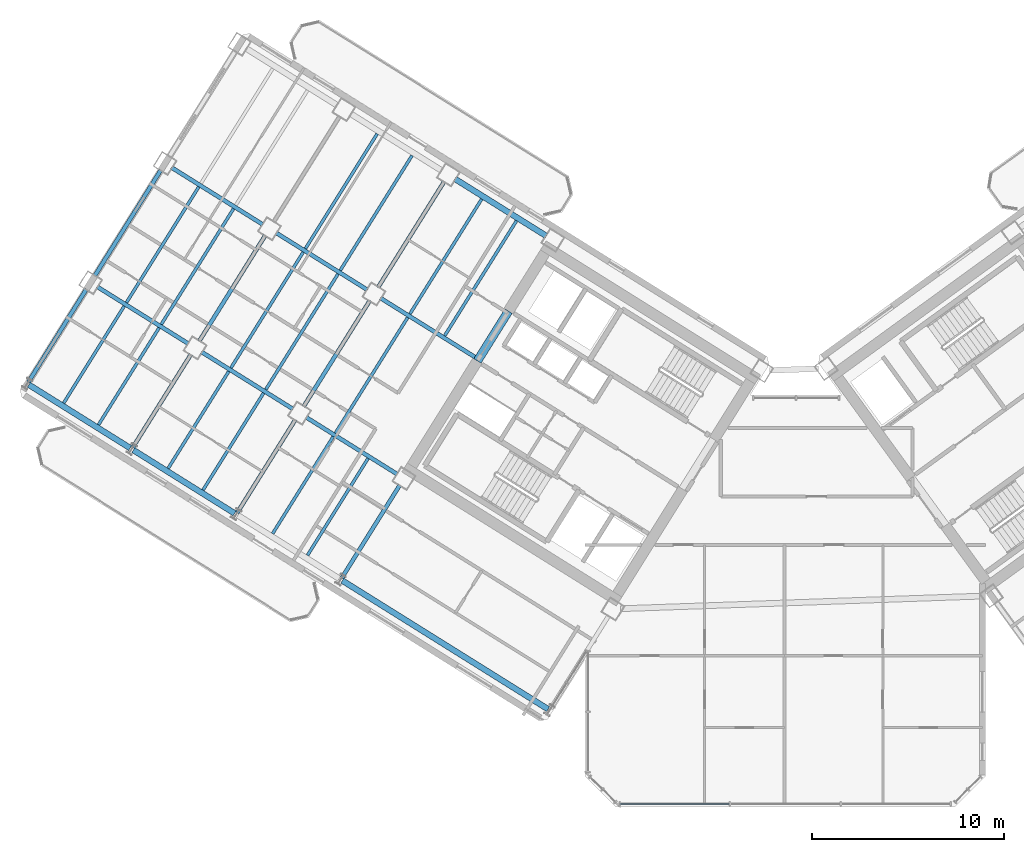
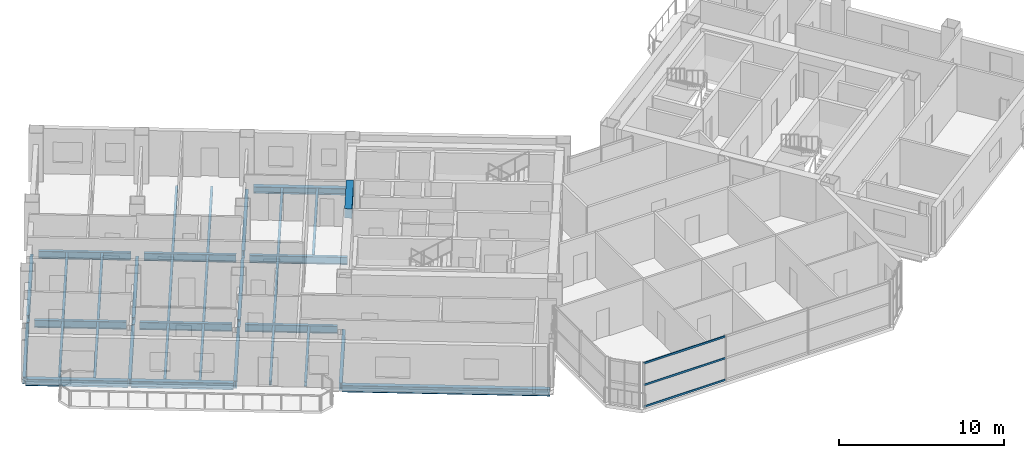
# One storey, part 7 of 25: 34 beams, 3 members, 1 element without a shape of its own.
"""IFC4 building model written with IfcOpenShell, lengths in metres."""

from ifc_helpers import new_model, si_unit, direction, frame, origin, origin_2d, place, context, subcontext, project, spatial, rectangle, hollow_rectangle, i_section, extrude, source, transform, mapped, material, material_profile, profile_set, type_object, element, aggregate, save


model = new_model("IFC4")

# Units and contexts
model_context = context("Model", 3, precision=1e-05, world=origin(), true_north=direction((0.0, 1.0)))
body_context = subcontext(model_context, "Body", "Model", "MODEL_VIEW")
ifc_project = project(units=[si_unit("LENGTHUNIT", "METRE"), si_unit("AREAUNIT", "SQUARE_METRE"), si_unit("VOLUMEUNIT", "CUBIC_METRE"), si_unit("PLANEANGLEUNIT", "RADIAN"), si_unit("MASSUNIT", "GRAM", prefix="KILO")], contexts=[model_context])

# Site, building, storey
site_placement = place(None, origin())
site = spatial("IfcSite", under=ifc_project, at=site_placement, CompositionType="ELEMENT")
building_placement = place(site_placement, origin())
building = spatial("IfcBuilding", under=site, at=building_placement, Name="Tlacorven Tower", CompositionType="ELEMENT")
storey_placement = place(building_placement, frame((0.0, 0.0, 155.10009765625)))
storey = spatial("IfcBuildingStorey", under=building, at=storey_placement, Name="L39", CompositionType="ELEMENT", Elevation=155.10009765625)

# Beams
ifc_material_1 = material(Name="Concrete C60/75", Category="concrete")
ifc_material_profile_1 = material_profile(ifc_material_1, rectangle(XDim=0.449951171875, YDim=0.699951171875, at=origin_2d()), Name="RC 450X700")
ifc_profile_set_1 = profile_set([ifc_material_profile_1], Name="Concrete C60/75")
beam_type_1 = type_object("IfcBeamType", Name="BM-LNT-700", PredefinedType="LINTEL", material=ifc_profile_set_1)
shared_shape_1 = source(origin(), body_context, "Body", "SweptSolid", [
    extrude(rectangle(XDim=0.449951171875, YDim=0.699951171875, at=origin_2d()), origin(), (0.0, 0.0, 1.0), 3.0498046875),
])
beam_1_placement = place(storey_placement, frame((27.622802734375, 27.562255859375, 3.0), z_axis=(-0.529926983584, -0.848043272522, 0.0), x_axis=(0.848043272522, -0.529926983584, 0.0)))
element("IfcBeam", 1, at=beam_1_placement, inside=storey, type_object=beam_type_1, Name="L39 W core coupling lintel beam E2", PredefinedType="LINTEL", context=body_context, shape_type="MappedRepresentation", body=[
    mapped(shared_shape_1, transform((0.0, 0.0, 0.0), scale=1.0)),
])
ifc_material_2 = material(Name="Steel S355J2", Category="steel")
ifc_material_profile_2 = material_profile(ifc_material_2, i_section(OverallWidth=0.300048828125, OverallDepth=0.489990234375, WebThickness=0.011962890625, FlangeThickness=0.02294921875, at=origin_2d()), Name="HEA 500")
ifc_profile_set_2 = profile_set([ifc_material_profile_2], Name="Steel S355J2")
beam_type_2 = type_object("IfcBeamType", Name="BM-SPN-500", PredefinedType="SPANDREL", material=ifc_profile_set_2)
shared_shape_2 = source(origin(), body_context, "Body", "SweptSolid", [
    extrude(i_section(OverallWidth=0.300048828125, OverallDepth=0.489990234375, WebThickness=0.011962890625, FlangeThickness=0.02294921875, at=origin_2d()), origin(), (0.0, 0.0, 1.0), 12.599853515625),
])
beam_2_placement = place(storey_placement, frame((29.67578125, 6.882080078125, -0.4951171875), z_axis=(-0.848045108756, 0.529924045043, 0.0), x_axis=(-0.529924045043, -0.848045108756, 0.0)))
element("IfcBeam", 2, at=beam_2_placement, inside=storey, type_object=beam_type_2, Name="L39 beam BM-L39-WL4-1", PredefinedType="SPANDREL", context=body_context, shape_type="MappedRepresentation", body=[
    mapped(shared_shape_2, transform((0.0, 0.0, 0.0), scale=1.0)),
])
shared_shape_3 = source(origin(), body_context, "Body", "SweptSolid", [
    extrude(i_section(OverallWidth=0.300048828125, OverallDepth=0.489990234375, WebThickness=0.011962890625, FlangeThickness=0.02294921875, at=origin_2d()), origin(), (0.0, 0.0, 1.0), 6.199951171875),
])
for number, where, z_axis, x_axis, name in (
    (3, (13.393310546875, 17.056396484375, -0.4951171875), (-0.848033697614, 0.529942306022, 0.0), (-0.529942306022, -0.848033697614, 0.0), "L39 beam BM-L39-WL4-4"),
    (4, (7.9658203125, 20.447998046875, -0.4951171875), (-0.848051394107, 0.529913986372, 0.0), (-0.529913986372, -0.848051394107, 0.0), "L39 beam BM-L39-WL4-5"),
):
    element("IfcBeam", number, at=place(storey_placement, frame(where, z_axis=z_axis, x_axis=x_axis)), inside=storey, type_object=beam_type_2, Name=name, PredefinedType="SPANDREL", context=body_context, shape_type="MappedRepresentation", body=[
        mapped(shared_shape_3, transform((0.0, 0.0, 0.0), scale=1.0)),
    ])
ifc_material_profile_3 = material_profile(ifc_material_2, i_section(OverallWidth=0.2099609375, OverallDepth=0.550048828125, WebThickness=0.010986328125, FlangeThickness=0.01708984375, at=origin_2d()), Name="IPE 550")
ifc_profile_set_3 = profile_set([ifc_material_profile_3], Name="Steel S355J2")
beam_type_3 = type_object("IfcBeamType", Name="BM-TWR-550", PredefinedType="BEAM", material=ifc_profile_set_3)
shared_shape_4 = source(origin(), body_context, "Body", "SweptSolid", [
    extrude(i_section(OverallWidth=0.2099609375, OverallDepth=0.550048828125, WebThickness=0.010986328125, FlangeThickness=0.01708984375, at=origin_2d()), origin(), (0.0, 0.0, 1.0), 5.599853515625),
])
for number, where, z_axis, x_axis, name in (
    (5, (20.292724609375, 28.6640625, -0.525146484375), (-0.848047285686, 0.529920561254, 0.0), (-0.529920561254, -0.848047285686, 0.0), "L39 beam BM-L39-WL2-4"),
    (6, (21.851806640625, 19.081787109375, -0.525146484375), (-0.848047285686, 0.529920561254, 0.0), (-0.529920561254, -0.848047285686, 0.0), "L39 beam BM-L39-WL3-3"),
    (7, (16.42431640625, 22.473388671875, -0.525146484375), (-0.848047285686, 0.529920561254, 0.0), (-0.529920561254, -0.848047285686, 0.0), "L39 beam BM-L39-WL3-4"),
    (8, (10.996826171875, 25.86474609375, -0.525146484375), (-0.848047285686, 0.529920561254, 0.0), (-0.529920561254, -0.848047285686, 0.0), "L39 beam BM-L39-WL3-5"),
):
    element("IfcBeam", number, at=place(storey_placement, frame(where, z_axis=z_axis, x_axis=x_axis)), inside=storey, type_object=beam_type_3, Name=name, PredefinedType="BEAM", context=body_context, shape_type="MappedRepresentation", body=[
        mapped(shared_shape_4, transform((0.0, 0.0, 0.0), scale=1.0)),
    ])
shared_shape_5 = source(origin(), body_context, "Body", "SweptSolid", [
    extrude(i_section(OverallWidth=0.2099609375, OverallDepth=0.550048828125, WebThickness=0.010986328125, FlangeThickness=0.01708984375, at=origin_2d()), origin(), (0.0, 0.0, 1.0), 5.960205078125),
])
beam_3_placement = place(storey_placement, frame((26.025634765625, 25.081787109375, -0.525146484375), z_axis=(-0.848042024898, 0.529928980153, 0.0), x_axis=(-0.529928980153, -0.848042024898, 0.0)))
element("IfcBeam", 9, at=beam_3_placement, inside=storey, type_object=beam_type_3, Name="L39 beam BM-L39-WL2-3", PredefinedType="BEAM", context=body_context, shape_type="MappedRepresentation", body=[
    mapped(shared_shape_5, transform((0.0, 0.0, 0.0), scale=1.0)),
])
shared_shape_6 = source(origin(), body_context, "Body", "SweptSolid", [
    extrude(i_section(OverallWidth=0.2099609375, OverallDepth=0.550048828125, WebThickness=0.010986328125, FlangeThickness=0.01708984375, at=origin_2d()), origin(), (0.0, 0.0, 1.0), 5.60009765625),
])
beam_4_placement = place(storey_placement, frame((14.865234375, 32.055419921875, -0.525146484375), z_axis=(-0.848027693204, 0.529951914384, 0.0), x_axis=(-0.529951914384, -0.848027693204, 0.0)))
element("IfcBeam", 10, at=beam_4_placement, inside=storey, type_object=beam_type_3, Name="L39 beam BM-L39-WL2-5", PredefinedType="BEAM", context=body_context, shape_type="MappedRepresentation", body=[
    mapped(shared_shape_6, transform((0.0, 0.0, 0.0), scale=1.0)),
])
shared_shape_7 = source(origin(), body_context, "Body", "SweptSolid", [
    extrude(i_section(OverallWidth=0.300048828125, OverallDepth=0.489990234375, WebThickness=0.011962890625, FlangeThickness=0.02294921875, at=origin_2d()), origin(), (0.0, 0.0, 1.0), 5.599853515625),
])
beam_5_placement = place(storey_placement, frame((29.588623046875, 31.46337890625, -0.4951171875), z_axis=(-0.848047285686, 0.529920561254, 0.0), x_axis=(-0.529920561254, -0.848047285686, 0.0)))
element("IfcBeam", 11, at=beam_5_placement, inside=storey, type_object=beam_type_2, Name="L39 beam BM-L39-WL1-3", PredefinedType="SPANDREL", context=body_context, shape_type="MappedRepresentation", body=[
    mapped(shared_shape_7, transform((0.0, 0.0, 0.0), scale=1.0)),
])
shared_shape_8 = source(origin(), body_context, "Body", "SweptSolid", [
    extrude(i_section(OverallWidth=0.2099609375, OverallDepth=0.550048828125, WebThickness=0.010986328125, FlangeThickness=0.01708984375, at=origin_2d()), origin(), (0.0, 0.0, 1.0), 5.7001953125),
])
for number, where, z_axis, x_axis, name in (
    (12, (16.5517578125, 21.922119140625, -0.525146484375), (-0.529937340199, -0.848036800771, 0.0), (0.848036800771, -0.529937340199, 0.0), "L39 beam BM-L39-WT4-3"),
    (13, (11.1240234375, 25.313720703125, -0.525146484375), (-0.529906537151, -0.848056048787, 0.0), (0.848056048787, -0.529906537151, 0.0), "L39 beam BM-L39-WT5-3"),
    (14, (5.696533203125, 28.705078125, -0.525146484375), (-0.529906537151, -0.848056048787, 0.0), (0.848056048787, -0.529906537151, 0.0), "L39 beam BM-L39-WT6-3"),
):
    element("IfcBeam", number, at=place(storey_placement, frame(where, z_axis=z_axis, x_axis=x_axis)), inside=storey, type_object=beam_type_3, Name=name, PredefinedType="BEAM", context=body_context, shape_type="MappedRepresentation", body=[
        mapped(shared_shape_8, transform((0.0, 0.0, 0.0), scale=1.0)),
    ])
shared_shape_9 = source(origin(), body_context, "Body", "SweptSolid", [
    extrude(i_section(OverallWidth=0.2099609375, OverallDepth=0.550048828125, WebThickness=0.010986328125, FlangeThickness=0.01708984375, at=origin_2d()), origin(), (0.0, 0.0, 1.0), 5.699951171875),
])
beam_6_placement = place(storey_placement, frame((21.979248046875, 18.530517578125, -0.525146484375), z_axis=(-0.5299565889, -0.848024771974, 0.0), x_axis=(0.848024771974, -0.5299565889, 0.0)))
element("IfcBeam", 15, at=beam_6_placement, inside=storey, type_object=beam_type_3, Name="L39 beam BM-L39-WT3-2", PredefinedType="BEAM", context=body_context, shape_type="MappedRepresentation", body=[
    mapped(shared_shape_9, transform((0.0, 0.0, 0.0), scale=1.0)),
])
shared_shape_10 = source(origin(), body_context, "Body", "SweptSolid", [
    extrude(i_section(OverallWidth=0.2099609375, OverallDepth=0.550048828125, WebThickness=0.010986328125, FlangeThickness=0.01708984375, at=origin_2d()), origin(), (0.0, 0.0, 1.0), 6.500244140625),
])
beam_7_placement = place(storey_placement, frame((24.28857421875, 34.3037109375, -0.525146484375), z_axis=(-0.529921287515, -0.848046831866, 0.0), x_axis=(0.848046831866, -0.529921287515, 0.0)))
element("IfcBeam", 16, at=beam_7_placement, inside=storey, type_object=beam_type_3, Name="L39 beam BM-L39-WT4-1", PredefinedType="BEAM", context=body_context, shape_type="MappedRepresentation", body=[
    mapped(shared_shape_10, transform((0.0, 0.0, 0.0), scale=1.0)),
])
shared_shape_11 = source(origin(), body_context, "Body", "SweptSolid", [
    extrude(i_section(OverallWidth=0.2099609375, OverallDepth=0.550048828125, WebThickness=0.010986328125, FlangeThickness=0.01708984375, at=origin_2d()), origin(), (0.0, 0.0, 1.0), 6.5),
])
for number, where, z_axis, x_axis, name in (
    (17, (20.420166015625, 28.11279296875, -0.525146484375), (-0.529938166933, -0.848036284146, 0.0), (0.848036284146, -0.529938166933, 0.0), "L39 beam BM-L39-WT4-2"),
    (18, (14.992431640625, 31.50439453125, -0.525146484375), (-0.529894274829, -0.848063710757, 0.0), (0.848063710757, -0.529894274829, 0.0), "L39 beam BM-L39-WT5-2"),
):
    element("IfcBeam", number, at=place(storey_placement, frame(where, z_axis=z_axis, x_axis=x_axis)), inside=storey, type_object=beam_type_3, Name=name, PredefinedType="BEAM", context=body_context, shape_type="MappedRepresentation", body=[
        mapped(shared_shape_11, transform((0.0, 0.0, 0.0), scale=1.0)),
    ])
shared_shape_12 = source(origin(), body_context, "Body", "SweptSolid", [
    extrude(i_section(OverallWidth=0.2099609375, OverallDepth=0.550048828125, WebThickness=0.010986328125, FlangeThickness=0.01708984375, at=origin_2d()), origin(), (0.0, 0.0, 1.0), 6.499755859375),
])
beam_8_placement = place(storey_placement, frame((9.56494140625, 34.895751953125, -0.525146484375), z_axis=(-0.529911154058, -0.848053163902, 0.0), x_axis=(0.848053163902, -0.529911154058, 0.0)))
element("IfcBeam", 19, at=beam_8_placement, inside=storey, type_object=beam_type_3, Name="L39 beam BM-L39-WT6-2", PredefinedType="BEAM", context=body_context, shape_type="MappedRepresentation", body=[
    mapped(shared_shape_12, transform((0.0, 0.0, 0.0), scale=1.0)),
])
ifc_material_profile_4 = material_profile(ifc_material_2, i_section(OverallWidth=0.159912109375, OverallDepth=0.330078125, WebThickness=0.007568359375, FlangeThickness=0.011474609375, at=origin_2d()), Name="IPE 330")
ifc_profile_set_4 = profile_set([ifc_material_profile_4], Name="Steel S355J2")
beam_type_4 = type_object("IfcBeamType", Name="BM-JST-330", PredefinedType="JOIST", material=ifc_profile_set_4)
shared_shape_13 = source(origin(), body_context, "Body", "SweptSolid", [
    extrude(i_section(OverallWidth=0.159912109375, OverallDepth=0.330078125, WebThickness=0.007568359375, FlangeThickness=0.011474609375, at=origin_2d()), origin(), (0.0, 0.0, 1.0), 5.93505859375),
])
for number, where, z_axis, x_axis, name in (
    (20, (20.32373046875, 19.906982421875, -0.4150390625), (-0.529910194899, -0.848053763238, 0.0), (0.848053763238, -0.529910194899, 0.0), "L39 beam BM-L39-WJ3-3-1"),
    (21, (18.514404296875, 21.03759765625, -0.4150390625), (-0.529910194899, -0.848053763238, 0.0), (0.848053763238, -0.529910194899, 0.0), "L39 beam BM-L39-WJ3-3-2"),
    (22, (14.896240234375, 23.298583984375, -0.4150390625), (-0.529910194899, -0.848053763238, 0.0), (0.848053763238, -0.529910194899, 0.0), "L39 beam BM-L39-WJ4-3-1"),
    (23, (9.46875, 26.68994140625, -0.4150390625), (-0.529939778535, -0.848035277053, 0.0), (0.848035277053, -0.529939778535, 0.0), "L39 beam BM-L39-WJ5-3-1"),
    (24, (7.659423828125, 27.820556640625, -0.4150390625), (-0.529910194899, -0.848053763238, 0.0), (0.848053763238, -0.529910194899, 0.0), "L39 beam BM-L39-WJ5-3-2"),
):
    element("IfcBeam", number, at=place(storey_placement, frame(where, z_axis=z_axis, x_axis=x_axis)), inside=storey, type_object=beam_type_4, Name=name, PredefinedType="JOIST", context=body_context, shape_type="MappedRepresentation", body=[
        mapped(shared_shape_13, transform((0.0, 0.0, 0.0), scale=1.0)),
    ])
shared_shape_14 = source(origin(), body_context, "Body", "SweptSolid", [
    extrude(i_section(OverallWidth=0.159912109375, OverallDepth=0.330078125, WebThickness=0.007568359375, FlangeThickness=0.011474609375, at=origin_2d()), origin(), (0.0, 0.0, 1.0), 7.080078125),
])
beam_9_placement = place(storey_placement, frame((18.7646484375, 29.4892578125, -0.4150390625), z_axis=(-0.529933847046, -0.848038983629, 0.0), x_axis=(0.848038983629, -0.529933847046, 0.0)))
element("IfcBeam", 25, at=beam_9_placement, inside=storey, type_object=beam_type_4, Name="L39 beam BM-L39-WJ4-2-1", PredefinedType="JOIST", context=body_context, shape_type="MappedRepresentation", body=[
    mapped(shared_shape_14, transform((0.0, 0.0, 0.0), scale=1.0)),
])
shared_shape_15 = source(origin(), body_context, "Body", "SweptSolid", [
    extrude(i_section(OverallWidth=0.159912109375, OverallDepth=0.330078125, WebThickness=0.007568359375, FlangeThickness=0.011474609375, at=origin_2d()), origin(), (0.0, 0.0, 1.0), 7.03515625),
])
for number, where, z_axis, x_axis, name in (
    (26, (28.03662109375, 32.25048828125, -0.4150390625), (-0.529920952588, -0.848047041153, 0.0), (0.848047041153, -0.529920952588, 0.0), "L39 beam BM-L39-WJ3-1-1"),
    (27, (26.2275390625, 33.380859375, -0.4150390625), (-0.529920952588, -0.848047041153, 0.0), (0.848047041153, -0.529920952588, 0.0), "L39 beam BM-L39-WJ3-1-2"),
    (28, (22.609130859375, 35.641845703125, -0.4150390625), (-0.529920952588, -0.848047041153, 0.0), (0.848047041153, -0.529920952588, 0.0), "L39 beam BM-L39-WJ4-1-1"),
    (29, (20.800048828125, 36.7724609375, -0.4150390625), (-0.529920952588, -0.848047041153, 0.0), (0.848047041153, -0.529920952588, 0.0), "L39 beam BM-L39-WJ4-1-2"),
):
    element("IfcBeam", number, at=place(storey_placement, frame(where, z_axis=z_axis, x_axis=x_axis)), inside=storey, type_object=beam_type_4, Name=name, PredefinedType="JOIST", context=body_context, shape_type="MappedRepresentation", body=[
        mapped(shared_shape_15, transform((0.0, 0.0, 0.0), scale=1.0)),
    ])
shared_shape_16 = source(origin(), body_context, "Body", "SweptSolid", [
    extrude(i_section(OverallWidth=0.159912109375, OverallDepth=0.330078125, WebThickness=0.007568359375, FlangeThickness=0.011474609375, at=origin_2d()), origin(), (0.0, 0.0, 1.0), 5.934814453125),
])
beam_10_placement = place(storey_placement, frame((13.0869140625, 24.428955078125, -0.4150390625), z_axis=(-0.52992868149, -0.848042211529, 0.0), x_axis=(0.848042211529, -0.52992868149, 0.0)))
element("IfcBeam", 30, at=beam_10_placement, inside=storey, type_object=beam_type_4, Name="L39 beam BM-L39-WJ4-3-2", PredefinedType="JOIST", context=body_context, shape_type="MappedRepresentation", body=[
    mapped(shared_shape_16, transform((0.0, 0.0, 0.0), scale=1.0)),
])
shared_shape_17 = source(origin(), body_context, "Body", "SweptSolid", [
    extrude(i_section(OverallWidth=0.159912109375, OverallDepth=0.330078125, WebThickness=0.007568359375, FlangeThickness=0.011474609375, at=origin_2d()), origin(), (0.0, 0.0, 1.0), 7.079833984375),
])
for number, where, z_axis, x_axis, name in (
    (31, (22.3828125, 27.228271484375, -0.4150390625), (-0.529909047265, -0.848054480341, 0.0), (0.848054480341, -0.529909047265, 0.0), "L39 beam BM-L39-WJ3-2-2"),
    (32, (16.955322265625, 30.619873046875, -0.4150390625), (-0.529909047265, -0.848054480341, 0.0), (0.848054480341, -0.529909047265, 0.0), "L39 beam BM-L39-WJ4-2-2"),
    (33, (11.52783203125, 34.01123046875, -0.4150390625), (-0.529909047265, -0.848054480341, 0.0), (0.848054480341, -0.529909047265, 0.0), "L39 beam BM-L39-WJ5-2-2"),
):
    element("IfcBeam", number, at=place(storey_placement, frame(where, z_axis=z_axis, x_axis=x_axis)), inside=storey, type_object=beam_type_4, Name=name, PredefinedType="JOIST", context=body_context, shape_type="MappedRepresentation", body=[
        mapped(shared_shape_17, transform((0.0, 0.0, 0.0), scale=1.0)),
    ])
shared_shape_18 = source(origin(), body_context, "Body", "SweptSolid", [
    extrude(i_section(OverallWidth=0.159912109375, OverallDepth=0.330078125, WebThickness=0.007568359375, FlangeThickness=0.011474609375, at=origin_2d()), origin(), (0.0, 0.0, 1.0), 7.080322265625),
])
beam_11_placement = place(storey_placement, frame((13.337158203125, 32.880859375, -0.4150390625), z_axis=(-0.52991835062, -0.848048667045, 0.0), x_axis=(0.848048667045, -0.52991835062, 0.0)))
element("IfcBeam", 34, at=beam_11_placement, inside=storey, type_object=beam_type_4, Name="L39 beam BM-L39-WJ5-2-1", PredefinedType="JOIST", context=body_context, shape_type="MappedRepresentation", body=[
    mapped(shared_shape_18, transform((0.0, 0.0, 0.0), scale=1.0)),
])

# Curtain wall, members
ifc_material_3 = material(Name="Dark solar low-E double glazing in aluminium frame", Category="aluminium")
curtain_wall_type = type_object("IfcCurtainWallType", Name="CW-TWR-MID", PredefinedType="USERDEFINED", material=ifc_material_3)
curtain_wall_placement = place(storey_placement, origin())
curtain_wall = element("IfcCurtainWall", 35, at=curtain_wall_placement, inside=storey, type_object=curtain_wall_type, Name="L39 CW-TWR-MID Curtain Wall 173", ObjectType="UNITISED CURTAIN WALL", PredefinedType="USERDEFINED")
ifc_material_4 = material(Name="Aluminium 6063-T6 anodised", Category="aluminium")
ifc_material_profile_5 = material_profile(ifc_material_4, hollow_rectangle(XDim=0.06005859375, YDim=0.139892578125, WallThickness=0.00390625, at=origin_2d()), Name="ALU TRANSOM 60X140")
ifc_profile_set_5 = profile_set([ifc_material_profile_5], Name="Aluminium 6063-T6 anodised")
member_type = type_object("IfcMemberType", Name="CWT-02", PredefinedType="USERDEFINED", material=ifc_profile_set_5)
shared_shape_19 = source(origin(), body_context, "Body", "SweptSolid", [
    extrude(hollow_rectangle(XDim=0.06005859375, YDim=0.139892578125, WallThickness=0.00390625, at=origin_2d()), origin(), (0.0, 0.0, 1.0), 5.682373046875),
])
member_1_placement = place(storey_placement, frame((39.1015625, 1.9599609375, 0.06982421875), z_axis=(-1.0, 0.0, 0.0), x_axis=(0.0, -1.0, 0.0)))
member_1 = element("IfcMember", 36, at=member_1_placement, type_object=member_type, Name="CW-L39-173 Transom 7", ObjectType="TRANSOM", PredefinedType="USERDEFINED", context=body_context, shape_type="MappedRepresentation", body=[
    mapped(shared_shape_19, transform((0.0, 0.0, 0.0), scale=1.0)),
])
member_2_placement = place(storey_placement, frame((39.1015625, 1.9599609375, 1.6748046875), z_axis=(-1.0, 0.0, 0.0), x_axis=(0.0, -1.0, 0.0)))
member_2 = element("IfcMember", 37, at=member_2_placement, type_object=member_type, Name="CW-L39-173 Transom 8", ObjectType="TRANSOM", PredefinedType="USERDEFINED", context=body_context, shape_type="MappedRepresentation", body=[
    mapped(shared_shape_19, transform((0.0, 0.0, 0.0), scale=1.0)),
])
member_3_placement = place(storey_placement, frame((39.1015625, 1.9599609375, 3.27978515625), z_axis=(-1.0, 0.0, 0.0), x_axis=(0.0, -1.0, 0.0)))
member_3 = element("IfcMember", 38, at=member_3_placement, type_object=member_type, Name="CW-L39-173 Transom 9", ObjectType="TRANSOM", PredefinedType="USERDEFINED", context=body_context, shape_type="MappedRepresentation", body=[
    mapped(shared_shape_19, transform((0.0, 0.0, 0.0), scale=1.0)),
])
aggregate(curtain_wall, [member_1, member_2, member_3])

save(model, "model.ifc")
